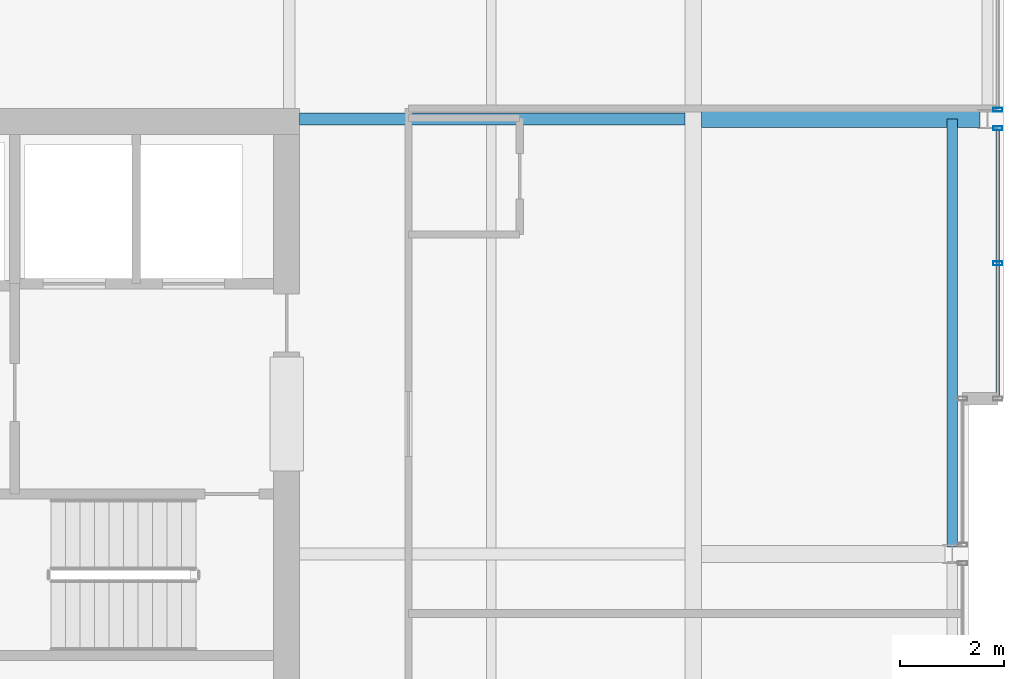
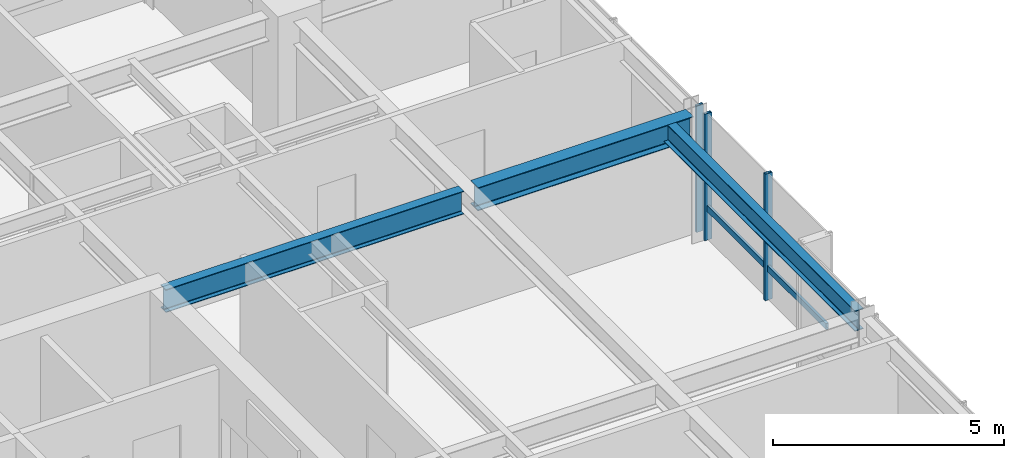
# One storey, part 22 of 31: 4 members, 3 beams, 2 elements without a shape of their own.
"""IFC4 building model written with IfcOpenShell, lengths in metres."""

from ifc_helpers import new_model, si_unit, direction, frame, origin, origin_2d, place, context, subcontext, project, spatial, hollow_rectangle, i_section, extrude, material, layer, layer_set, material_profile, profile_set, type_object, element, aggregate, save


model = new_model("IFC4")

# Units and contexts
model_context = context("Model", 3, precision=1e-05, world=origin(), true_north=direction((0.0, 1.0)))
body_context = subcontext(model_context, "Body", "Model", "MODEL_VIEW")
ifc_project = project(units=[si_unit("LENGTHUNIT", "METRE"), si_unit("AREAUNIT", "SQUARE_METRE"), si_unit("VOLUMEUNIT", "CUBIC_METRE"), si_unit("PLANEANGLEUNIT", "RADIAN"), si_unit("MASSUNIT", "GRAM", prefix="KILO")], contexts=[model_context])

# Site, building, storey
site_placement = place(None, origin())
site = spatial("IfcSite", under=ifc_project, at=site_placement, CompositionType="ELEMENT")
building_placement = place(site_placement, origin())
building = spatial("IfcBuilding", under=site, at=building_placement, Name="Drelvath Grand Hotel", CompositionType="ELEMENT")
storey_placement = place(building_placement, frame((0.0, 0.0, 244.699951171875)))
storey = spatial("IfcBuildingStorey", under=building, at=storey_placement, Name="L64", CompositionType="ELEMENT", Elevation=244.699951171875)

# Curtain wall, members
ifc_material_1 = material(Name="Platinum-Mist Anodised Aluminium Frame", Category="aluminium")
ifc_layer = layer(ifc_material_1, 0.199951171875)
ifc_layer_set = layer_set([ifc_layer], Name="Platinum-Mist Anodised Aluminium Frame")
curtain_wall_type = type_object("IfcCurtainWallType", Name="Stick Curtain Wall CW-05 Platinum Mist High-Rise", PredefinedType="NOTDEFINED", material=ifc_layer_set)
curtain_wall_1_placement = place(storey_placement, origin())
curtain_wall_1 = element("IfcCurtainWall", 1, at=curtain_wall_1_placement, inside=storey, type_object=curtain_wall_type, Name="L64 CW-05 Curtain Wall CW05-L64-EN1", PredefinedType="NOTDEFINED")
ifc_material_profile_1 = material_profile(ifc_material_1, hollow_rectangle(XDim=0.06494140625, YDim=0.159912109375, WallThickness=0.00390625, at=origin_2d()), Name="HSS160X65X4")
ifc_profile_set_1 = profile_set([ifc_material_profile_1], Name="Platinum-Mist Anodised Aluminium Frame")
member_type_1 = type_object("IfcMemberType", Name="Curtain Wall Horizontal Transom CW-05 HSS160X65X4", PredefinedType="USERDEFINED", material=ifc_profile_set_1)
member_1_placement = place(storey_placement, frame((22.080078125, 35.181884765625, 0.8349609375), z_axis=(0.0, -1.0, 0.0), x_axis=(1.0, 0.0, 0.0)))
member_1 = element("IfcMember", 2, at=member_1_placement, type_object=member_type_1, Name="CW05-L64-EN1 Sill Transom", ObjectType="TRANSOM", PredefinedType="USERDEFINED", context=body_context, shape_type="SweptSolid", body=[
    extrude(hollow_rectangle(XDim=0.06494140625, YDim=0.159912109375, WallThickness=0.00390625, at=origin_2d()), origin(), (0.0, 0.0, 1.0), 5.141845703125),
])
ifc_material_profile_2 = material_profile(ifc_material_1, hollow_rectangle(XDim=0.074951171875, YDim=0.179931640625, WallThickness=0.0048828125, at=origin_2d()), Name="HSS180X75X5")
ifc_profile_set_2 = profile_set([ifc_material_profile_2], Name="Platinum-Mist Anodised Aluminium Frame")
member_type_2 = type_object("IfcMemberType", Name="Curtain Wall Vertical Mullion CW-05 HSS180X75X5", PredefinedType="MULLION", material=ifc_profile_set_2)
member_2_placement = place(storey_placement, frame((22.080078125, 35.2216796875, 0.0), z_axis=(0.0, 0.0, 1.0), x_axis=(0.0, 1.0, 0.0)))
member_2 = element("IfcMember", 3, at=member_2_placement, type_object=member_type_2, Name="CW05-L64-EN1 Mullion 1", PredefinedType="MULLION", context=body_context, shape_type="SweptSolid", body=[
    extrude(hollow_rectangle(XDim=0.074951171875, YDim=0.179931640625, WallThickness=0.0048828125, at=origin_2d()), origin(), (0.0, 0.0, 1.0), 3.340087890625),
])
member_3_placement = place(storey_placement, frame((22.080078125, 32.61083984375, 0.0), z_axis=(0.0, 0.0, 1.0), x_axis=(0.0, 1.0, 0.0)))
member_3 = element("IfcMember", 4, at=member_3_placement, type_object=member_type_2, Name="CW05-L64-EN1 Mullion 2", PredefinedType="MULLION", context=body_context, shape_type="SweptSolid", body=[
    extrude(hollow_rectangle(XDim=0.074951171875, YDim=0.179931640625, WallThickness=0.0048828125, at=origin_2d()), origin(), (0.0, 0.0, 1.0), 3.340087890625),
])
aggregate(curtain_wall_1, [member_2, member_3, member_1])

# Curtain wall, member
curtain_wall_2_placement = place(storey_placement, origin())
curtain_wall_2 = element("IfcCurtainWall", 5, at=curtain_wall_2_placement, inside=storey, type_object=curtain_wall_type, Name="L64 CW-05 Curtain Wall CW05-L64-EN2", PredefinedType="NOTDEFINED")
member_4_placement = place(storey_placement, frame((22.080078125, 35.578125, 0.0), z_axis=(0.0, 0.0, 1.0), x_axis=(0.0, 1.0, 0.0)))
member_4 = element("IfcMember", 6, at=member_4_placement, type_object=member_type_2, Name="CW05-L64-EN2 Mullion 3", PredefinedType="MULLION", context=body_context, shape_type="SweptSolid", body=[
    extrude(hollow_rectangle(XDim=0.074951171875, YDim=0.179931640625, WallThickness=0.0048828125, at=origin_2d()), origin(), (0.0, 0.0, 1.0), 3.340087890625),
])
aggregate(curtain_wall_2, [member_4])

# Beams
ifc_material_2 = material(Name="Steel ASTM A992 Gr 50", Category="steel")
ifc_material_profile_3 = material_profile(ifc_material_2, i_section(OverallWidth=0.210205078125, OverallDepth=0.53662109375, WebThickness=0.010986328125, FlangeThickness=0.017333984375, FilletRadius=0.01806640625, at=origin_2d()), Name="W21X68")
ifc_profile_set_3 = profile_set([ifc_material_profile_3], Name="Steel ASTM A992 Gr 50")
beam_type_1 = type_object("IfcBeamType", Name="Perimeter Spandrel Beam W21X68", PredefinedType="SPANDREL", material=ifc_profile_set_3)
beam_1_placement = place(storey_placement, frame((21.199951171875, 27.139892578125, 3.071533203125), z_axis=(0.0, 1.0, 0.0), x_axis=(-1.0, 0.0, 0.0)))
element("IfcBeam", 7, at=beam_1_placement, inside=storey, type_object=beam_type_1, Name="L64 Spandrel East Mid N", PredefinedType="SPANDREL", context=body_context, shape_type="SweptSolid", body=[
    extrude(i_section(OverallWidth=0.210205078125, OverallDepth=0.53662109375, WebThickness=0.010986328125, FlangeThickness=0.017333984375, FilletRadius=0.01806640625, at=origin_2d()), origin(), (0.0, 0.0, 1.0), 8.260009765625),
])
ifc_material_profile_4 = material_profile(ifc_material_2, i_section(OverallWidth=0.323974609375, OverallDepth=0.611083984375, WebThickness=0.0126953125, FlangeThickness=0.01904296875, FilletRadius=0.02197265625, at=origin_2d()), Name="W24X104")
ifc_profile_set_4 = profile_set([ifc_material_profile_4], Name="Steel ASTM A992 Gr 50")
beam_type_2 = type_object("IfcBeamType", Name="Primary Floor Girder W24X104", PredefinedType="BEAM", material=ifc_profile_set_4)
beam_2_placement = place(storey_placement, frame((16.362060546875, 35.39990234375, 3.034423828125), z_axis=(1.0, 0.0, 0.0), x_axis=(0.0, 1.0, 0.0)))
element("IfcBeam", 8, at=beam_2_placement, inside=storey, type_object=beam_type_2, Name="L64 East Wing Girder F", PredefinedType="BEAM", context=body_context, shape_type="SweptSolid", body=[
    extrude(i_section(OverallWidth=0.323974609375, OverallDepth=0.611083984375, WebThickness=0.0126953125, FlangeThickness=0.01904296875, FilletRadius=0.02197265625, at=origin_2d()), origin(), (0.0, 0.0, 1.0), 5.3779296875),
])
ifc_material_profile_5 = material_profile(ifc_material_2, i_section(OverallWidth=0.228271484375, OverallDepth=0.607666015625, WebThickness=0.01123046875, FlangeThickness=0.017333984375, FilletRadius=0.02001953125, at=origin_2d()), Name="W24X76")
ifc_profile_set_5 = profile_set([ifc_material_profile_5], Name="Steel ASTM A992 Gr 50")
beam_type_3 = type_object("IfcBeamType", Name="Primary Floor Girder W24X76", PredefinedType="BEAM", material=ifc_profile_set_5)
beam_3_placement = place(storey_placement, frame((8.60009765625, 35.39990234375, 3.0361328125), z_axis=(1.0, 0.0, 0.0), x_axis=(0.0, 1.0, 0.0)))
element("IfcBeam", 9, at=beam_3_placement, inside=storey, type_object=beam_type_3, Name="L64 East Core Tie F", PredefinedType="BEAM", context=body_context, shape_type="SweptSolid", body=[
    extrude(i_section(OverallWidth=0.228271484375, OverallDepth=0.607666015625, WebThickness=0.01123046875, FlangeThickness=0.017333984375, FilletRadius=0.02001953125, at=origin_2d()), origin(), (0.0, 0.0, 1.0), 7.43798828125),
])

save(model, "model.ifc")
